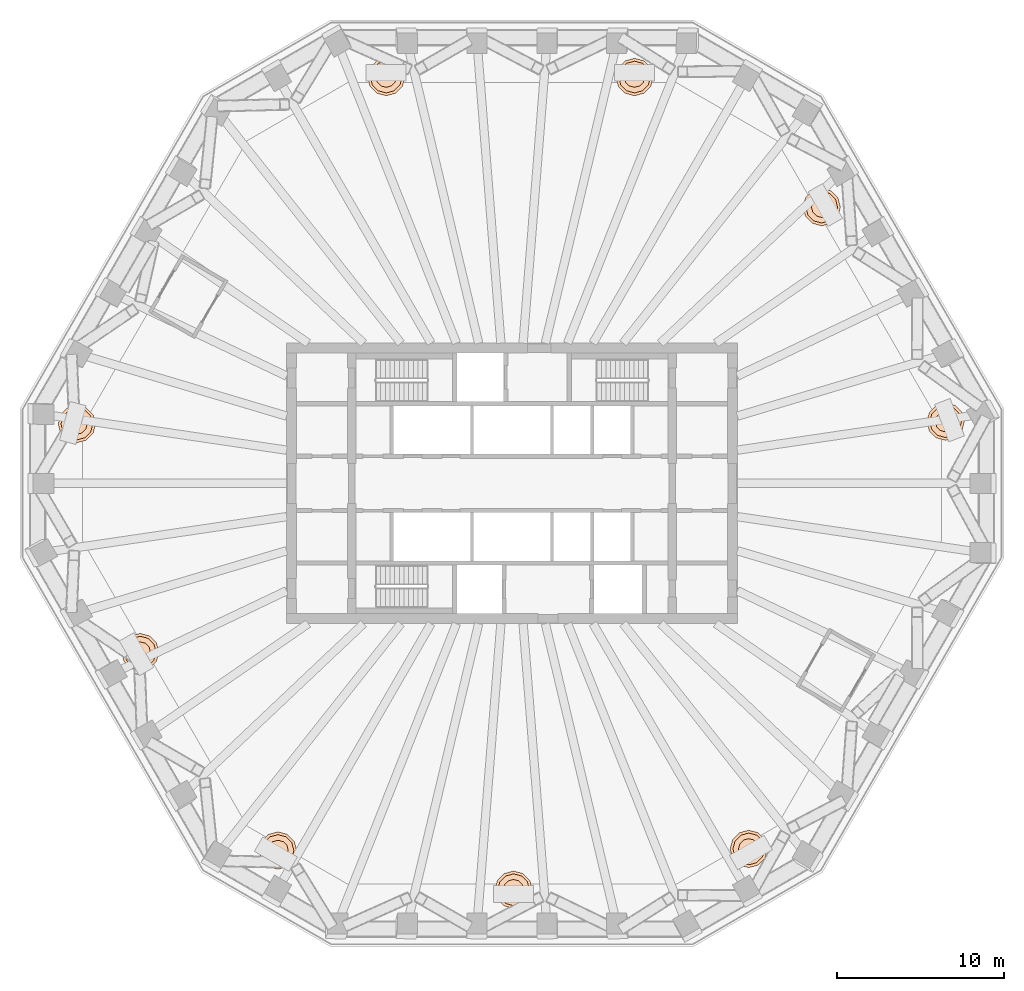
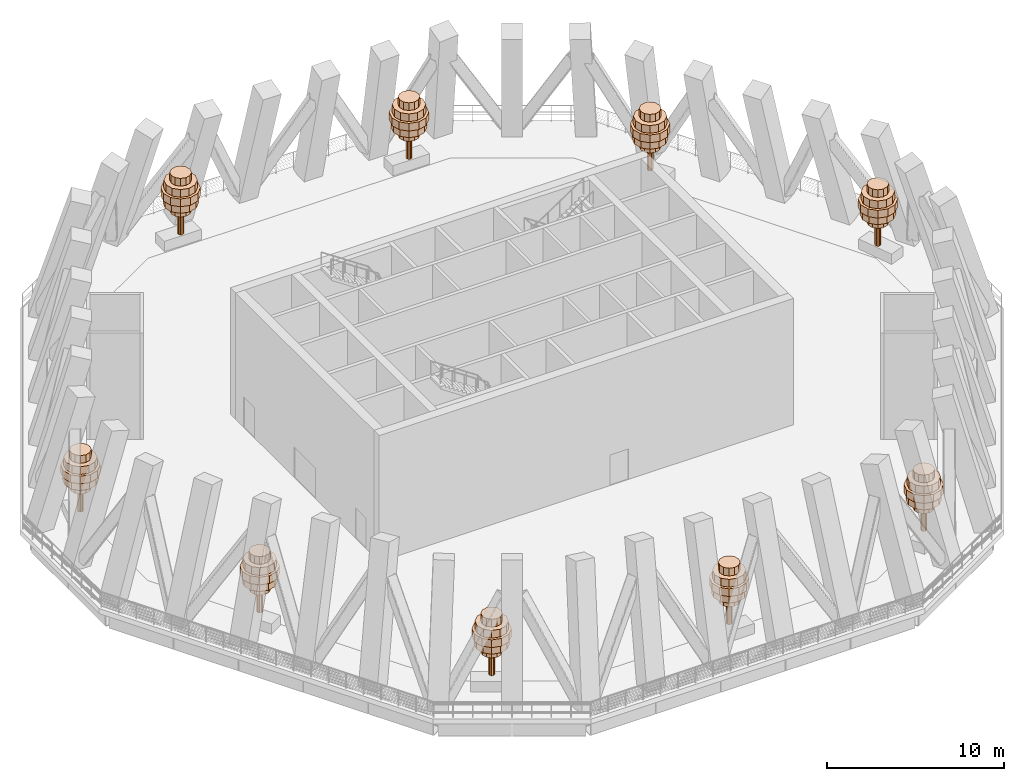
# One storey, part 11 of 11: 9 geographic elements.
"""IFC4 building model written with IfcOpenShell, lengths in metres."""

from ifc_helpers import new_model, si_unit, direction, frame, origin, place, context, subcontext, project, spatial, polyline, outline, extrude, material, type_object, element, save


model = new_model("IFC4")

# Units and contexts
model_context = context("Model", 3, precision=1e-05, world=origin(), true_north=direction((0.0, 1.0)))
body_context = subcontext(model_context, "Body", "Model", "MODEL_VIEW")
ifc_project = project(units=[si_unit("LENGTHUNIT", "METRE"), si_unit("AREAUNIT", "SQUARE_METRE"), si_unit("VOLUMEUNIT", "CUBIC_METRE"), si_unit("PLANEANGLEUNIT", "RADIAN"), si_unit("MASSUNIT", "GRAM", prefix="KILO")], contexts=[model_context])

# Site, building, storey
site_placement = place(None, origin())
site = spatial("IfcSite", under=ifc_project, at=site_placement, CompositionType="ELEMENT")
building_placement = place(site_placement, origin())
building = spatial("IfcBuilding", under=site, at=building_placement, Name="Frailejon Research Tower", CompositionType="ELEMENT")
storey_placement = place(building_placement, frame((0.0, 0.0, 202.39990234375)))
storey = spatial("IfcBuildingStorey", under=building, at=storey_placement, Name="L44", CompositionType="ELEMENT", Elevation=202.39990234375)

# Geographic elements
ifc_material = material(Name="Foliage, green")
geographic_element_type = type_object("IfcGeographicElementType", Name="Frailejon tree, terrace", PredefinedType="USERDEFINED", material=ifc_material)
geographic_element_1_placement = place(storey_placement, frame((25.973876953125, 3.70068359375, 0.7001953125)))
element("IfcGeographicElement", 1, at=geographic_element_1_placement, inside=storey, type_object=geographic_element_type, Name="Tree L44", ObjectType="TREE", PredefinedType="USERDEFINED", context=body_context, shape_type="SweptSolid", body=[
    extrude(outline(polyline([(0.177978515625, 0.0), (0.154052734375, 0.089111328125), (0.089111328125, 0.154052734375), (0.0, 0.177978515625), (-0.089111328125, 0.154052734375), (-0.154052734375, 0.089111328125), (-0.177978515625, 0.0), (-0.154052734375, -0.089111328125), (-0.089111328125, -0.154052734375), (0.0, -0.177978515625), (0.089111328125, -0.154052734375), (0.154052734375, -0.089111328125), (0.177978515625, 0.0)])), origin(), (0.0, 0.0, 1.0), 3.135986328125),
    extrude(outline(polyline([(0.615966796875, 0.0), (0.533447265625, 0.30810546875), (0.30810546875, 0.533447265625), (0.0, 0.615966796875), (-0.30810546875, 0.533447265625), (-0.533447265625, 0.30810546875), (-0.615966796875, 0.0), (-0.533447265625, -0.30810546875), (-0.30810546875, -0.533447265625), (0.0, -0.615966796875), (0.30810546875, -0.533447265625), (0.533447265625, -0.30810546875), (0.615966796875, 0.0)])), frame((0.0, 0.0, 1.5400390625)), (0.0, 0.0, 1.0), 0.531982421875),
    extrude(outline(polyline([(1.008056640625, 0.0), (0.873046875, 0.50390625), (0.50390625, 0.873046875), (0.0, 1.008056640625), (-0.50390625, 0.873046875), (-0.873046875, 0.50390625), (-1.008056640625, 0.0), (-0.873046875, -0.50390625), (-0.50390625, -0.873046875), (0.0, -1.008056640625), (0.50390625, -0.873046875), (0.873046875, -0.50390625), (1.008056640625, 0.0)])), frame((0.0, 0.0, 2.072021484375)), (0.0, 0.0, 1.0), 0.531982421875),
    extrude(outline(polyline([(1.1201171875, 0.0), (0.969970703125, 0.56005859375), (0.56005859375, 0.969970703125), (0.0, 1.1201171875), (-0.56005859375, 0.969970703125), (-0.969970703125, 0.56005859375), (-1.1201171875, 0.0), (-0.969970703125, -0.56005859375), (-0.56005859375, -0.969970703125), (0.0, -1.1201171875), (0.56005859375, -0.969970703125), (0.969970703125, -0.56005859375), (1.1201171875, 0.0)])), frame((0.0, 0.0, 2.60400390625)), (0.0, 0.0, 1.0), 0.531982421875),
    extrude(outline(polyline([(0.951904296875, 0.0), (0.824462890625, 0.47607421875), (0.47607421875, 0.824462890625), (0.0, 0.951904296875), (-0.47607421875, 0.824462890625), (-0.824462890625, 0.47607421875), (-0.951904296875, 0.0), (-0.824462890625, -0.47607421875), (-0.47607421875, -0.824462890625), (0.0, -0.951904296875), (0.47607421875, -0.824462890625), (0.824462890625, -0.47607421875), (0.951904296875, 0.0)])), frame((0.0, 0.0, 3.135986328125)), (0.0, 0.0, 1.0), 0.531982421875),
    extrude(outline(polyline([(0.615966796875, 0.0), (0.533447265625, 0.30810546875), (0.30810546875, 0.533447265625), (0.0, 0.615966796875), (-0.30810546875, 0.533447265625), (-0.533447265625, 0.30810546875), (-0.615966796875, 0.0), (-0.533447265625, -0.30810546875), (-0.30810546875, -0.533447265625), (0.0, -0.615966796875), (0.30810546875, -0.533447265625), (0.533447265625, -0.30810546875), (0.615966796875, 0.0)])), frame((0.0, 0.0, 3.66796875)), (0.0, 0.0, 1.0), 0.531982421875),
])
geographic_element_2_placement = place(storey_placement, frame((18.55224609375, 16.549072265625, 0.7001953125)))
element("IfcGeographicElement", 2, at=geographic_element_2_placement, inside=storey, type_object=geographic_element_type, Name="Tree L44", ObjectType="TREE", PredefinedType="USERDEFINED", context=body_context, shape_type="SweptSolid", body=[
    extrude(outline(polyline([(0.177978515625, 0.0), (0.154052734375, 0.089111328125), (0.089111328125, 0.154052734375), (0.0, 0.177978515625), (-0.089111328125, 0.154052734375), (-0.154052734375, 0.089111328125), (-0.177978515625, 0.0), (-0.154052734375, -0.089111328125), (-0.089111328125, -0.154052734375), (0.0, -0.177978515625), (0.089111328125, -0.154052734375), (0.154052734375, -0.089111328125), (0.177978515625, 0.0)])), origin(), (0.0, 0.0, 1.0), 3.135986328125),
    extrude(outline(polyline([(0.615966796875, 0.0), (0.533447265625, 0.30810546875), (0.30810546875, 0.533447265625), (0.0, 0.615966796875), (-0.30810546875, 0.533447265625), (-0.533447265625, 0.30810546875), (-0.615966796875, 0.0), (-0.533447265625, -0.30810546875), (-0.30810546875, -0.533447265625), (0.0, -0.615966796875), (0.30810546875, -0.533447265625), (0.533447265625, -0.30810546875), (0.615966796875, 0.0)])), frame((0.0, 0.0, 1.5400390625)), (0.0, 0.0, 1.0), 0.531982421875),
    extrude(outline(polyline([(1.008056640625, 0.0), (0.873046875, 0.50390625), (0.50390625, 0.873046875), (0.0, 1.008056640625), (-0.50390625, 0.873046875), (-0.873046875, 0.50390625), (-1.008056640625, 0.0), (-0.873046875, -0.50390625), (-0.50390625, -0.873046875), (0.0, -1.008056640625), (0.50390625, -0.873046875), (0.873046875, -0.50390625), (1.008056640625, 0.0)])), frame((0.0, 0.0, 2.072021484375)), (0.0, 0.0, 1.0), 0.531982421875),
    extrude(outline(polyline([(1.1201171875, 0.0), (0.969970703125, 0.56005859375), (0.56005859375, 0.969970703125), (0.0, 1.1201171875), (-0.56005859375, 0.969970703125), (-0.969970703125, 0.56005859375), (-1.1201171875, 0.0), (-0.969970703125, -0.56005859375), (-0.56005859375, -0.969970703125), (0.0, -1.1201171875), (0.56005859375, -0.969970703125), (0.969970703125, -0.56005859375), (1.1201171875, 0.0)])), frame((0.0, 0.0, 2.60400390625)), (0.0, 0.0, 1.0), 0.531982421875),
    extrude(outline(polyline([(0.951904296875, 0.0), (0.824462890625, 0.47607421875), (0.47607421875, 0.824462890625), (0.0, 0.951904296875), (-0.47607421875, 0.824462890625), (-0.824462890625, 0.47607421875), (-0.951904296875, 0.0), (-0.824462890625, -0.47607421875), (-0.47607421875, -0.824462890625), (0.0, -0.951904296875), (0.47607421875, -0.824462890625), (0.824462890625, -0.47607421875), (0.951904296875, 0.0)])), frame((0.0, 0.0, 3.135986328125)), (0.0, 0.0, 1.0), 0.531982421875),
    extrude(outline(polyline([(0.615966796875, 0.0), (0.533447265625, 0.30810546875), (0.30810546875, 0.533447265625), (0.0, 0.615966796875), (-0.30810546875, 0.533447265625), (-0.533447265625, 0.30810546875), (-0.615966796875, 0.0), (-0.533447265625, -0.30810546875), (-0.30810546875, -0.533447265625), (0.0, -0.615966796875), (0.30810546875, -0.533447265625), (0.533447265625, -0.30810546875), (0.615966796875, 0.0)])), frame((0.0, 0.0, 3.66796875)), (0.0, 0.0, 1.0), 0.531982421875),
])
geographic_element_3_placement = place(storey_placement, frame((7.341796875, 24.34130859375, 0.7001953125)))
element("IfcGeographicElement", 3, at=geographic_element_3_placement, inside=storey, type_object=geographic_element_type, Name="Tree L44", ObjectType="TREE", PredefinedType="USERDEFINED", context=body_context, shape_type="SweptSolid", body=[
    extrude(outline(polyline([(0.177978515625, 0.0), (0.154052734375, 0.089111328125), (0.089111328125, 0.154052734375), (0.0, 0.177978515625), (-0.089111328125, 0.154052734375), (-0.154052734375, 0.089111328125), (-0.177978515625, 0.0), (-0.154052734375, -0.089111328125), (-0.089111328125, -0.154052734375), (0.0, -0.177978515625), (0.089111328125, -0.154052734375), (0.154052734375, -0.089111328125), (0.177978515625, 0.0)])), origin(), (0.0, 0.0, 1.0), 3.135986328125),
    extrude(outline(polyline([(0.615966796875, 0.0), (0.533447265625, 0.30810546875), (0.30810546875, 0.533447265625), (0.0, 0.615966796875), (-0.30810546875, 0.533447265625), (-0.533447265625, 0.30810546875), (-0.615966796875, 0.0), (-0.533447265625, -0.30810546875), (-0.30810546875, -0.533447265625), (0.0, -0.615966796875), (0.30810546875, -0.533447265625), (0.533447265625, -0.30810546875), (0.615966796875, 0.0)])), frame((0.0, 0.0, 1.5400390625)), (0.0, 0.0, 1.0), 0.531982421875),
    extrude(outline(polyline([(1.008056640625, 0.0), (0.873046875, 0.50390625), (0.50390625, 0.873046875), (0.0, 1.008056640625), (-0.50390625, 0.873046875), (-0.873046875, 0.50390625), (-1.008056640625, 0.0), (-0.873046875, -0.50390625), (-0.50390625, -0.873046875), (0.0, -1.008056640625), (0.50390625, -0.873046875), (0.873046875, -0.50390625), (1.008056640625, 0.0)])), frame((0.0, 0.0, 2.072021484375)), (0.0, 0.0, 1.0), 0.531982421875),
    extrude(outline(polyline([(1.1201171875, 0.0), (0.969970703125, 0.56005859375), (0.56005859375, 0.969970703125), (0.0, 1.1201171875), (-0.56005859375, 0.969970703125), (-0.969970703125, 0.56005859375), (-1.1201171875, 0.0), (-0.969970703125, -0.56005859375), (-0.56005859375, -0.969970703125), (0.0, -1.1201171875), (0.56005859375, -0.969970703125), (0.969970703125, -0.56005859375), (1.1201171875, 0.0)])), frame((0.0, 0.0, 2.60400390625)), (0.0, 0.0, 1.0), 0.531982421875),
    extrude(outline(polyline([(0.951904296875, 0.0), (0.824462890625, 0.47607421875), (0.47607421875, 0.824462890625), (0.0, 0.951904296875), (-0.47607421875, 0.824462890625), (-0.824462890625, 0.47607421875), (-0.951904296875, 0.0), (-0.824462890625, -0.47607421875), (-0.47607421875, -0.824462890625), (0.0, -0.951904296875), (0.47607421875, -0.824462890625), (0.824462890625, -0.47607421875), (0.951904296875, 0.0)])), frame((0.0, 0.0, 3.135986328125)), (0.0, 0.0, 1.0), 0.531982421875),
    extrude(outline(polyline([(0.615966796875, 0.0), (0.533447265625, 0.30810546875), (0.30810546875, 0.533447265625), (0.0, 0.615966796875), (-0.30810546875, 0.533447265625), (-0.533447265625, 0.30810546875), (-0.615966796875, 0.0), (-0.533447265625, -0.30810546875), (-0.30810546875, -0.533447265625), (0.0, -0.615966796875), (0.30810546875, -0.533447265625), (0.533447265625, -0.30810546875), (0.615966796875, 0.0)])), frame((0.0, 0.0, 3.66796875)), (0.0, 0.0, 1.0), 0.531982421875),
])
geographic_element_4_placement = place(storey_placement, frame((-7.535400390625, 24.34130859375, 0.7001953125)))
element("IfcGeographicElement", 4, at=geographic_element_4_placement, inside=storey, type_object=geographic_element_type, Name="Tree L44", ObjectType="TREE", PredefinedType="USERDEFINED", context=body_context, shape_type="SweptSolid", body=[
    extrude(outline(polyline([(0.177978515625, 0.0), (0.154052734375, 0.089111328125), (0.089111328125, 0.154052734375), (0.0, 0.177978515625), (-0.089111328125, 0.154052734375), (-0.154052734375, 0.089111328125), (-0.177978515625, 0.0), (-0.154052734375, -0.089111328125), (-0.089111328125, -0.154052734375), (0.0, -0.177978515625), (0.089111328125, -0.154052734375), (0.154052734375, -0.089111328125), (0.177978515625, 0.0)])), origin(), (0.0, 0.0, 1.0), 3.135986328125),
    extrude(outline(polyline([(0.615966796875, 0.0), (0.533447265625, 0.30810546875), (0.30810546875, 0.533447265625), (0.0, 0.615966796875), (-0.30810546875, 0.533447265625), (-0.533447265625, 0.30810546875), (-0.615966796875, 0.0), (-0.533447265625, -0.30810546875), (-0.30810546875, -0.533447265625), (0.0, -0.615966796875), (0.30810546875, -0.533447265625), (0.533447265625, -0.30810546875), (0.615966796875, 0.0)])), frame((0.0, 0.0, 1.5400390625)), (0.0, 0.0, 1.0), 0.531982421875),
    extrude(outline(polyline([(1.008056640625, 0.0), (0.873046875, 0.50390625), (0.50390625, 0.873046875), (0.0, 1.008056640625), (-0.50390625, 0.873046875), (-0.873046875, 0.50390625), (-1.008056640625, 0.0), (-0.873046875, -0.50390625), (-0.50390625, -0.873046875), (0.0, -1.008056640625), (0.50390625, -0.873046875), (0.873046875, -0.50390625), (1.008056640625, 0.0)])), frame((0.0, 0.0, 2.072021484375)), (0.0, 0.0, 1.0), 0.531982421875),
    extrude(outline(polyline([(1.1201171875, 0.0), (0.969970703125, 0.56005859375), (0.56005859375, 0.969970703125), (0.0, 1.1201171875), (-0.56005859375, 0.969970703125), (-0.969970703125, 0.56005859375), (-1.1201171875, 0.0), (-0.969970703125, -0.56005859375), (-0.56005859375, -0.969970703125), (0.0, -1.1201171875), (0.56005859375, -0.969970703125), (0.969970703125, -0.56005859375), (1.1201171875, 0.0)])), frame((0.0, 0.0, 2.60400390625)), (0.0, 0.0, 1.0), 0.531982421875),
    extrude(outline(polyline([(0.951904296875, 0.0), (0.824462890625, 0.47607421875), (0.47607421875, 0.824462890625), (0.0, 0.951904296875), (-0.47607421875, 0.824462890625), (-0.824462890625, 0.47607421875), (-0.951904296875, 0.0), (-0.824462890625, -0.47607421875), (-0.47607421875, -0.824462890625), (0.0, -0.951904296875), (0.47607421875, -0.824462890625), (0.824462890625, -0.47607421875), (0.951904296875, 0.0)])), frame((0.0, 0.0, 3.135986328125)), (0.0, 0.0, 1.0), 0.531982421875),
    extrude(outline(polyline([(0.615966796875, 0.0), (0.533447265625, 0.30810546875), (0.30810546875, 0.533447265625), (0.0, 0.615966796875), (-0.30810546875, 0.533447265625), (-0.533447265625, 0.30810546875), (-0.615966796875, 0.0), (-0.533447265625, -0.30810546875), (-0.30810546875, -0.533447265625), (0.0, -0.615966796875), (0.30810546875, -0.533447265625), (0.533447265625, -0.30810546875), (0.615966796875, 0.0)])), frame((0.0, 0.0, 3.66796875)), (0.0, 0.0, 1.0), 0.531982421875),
])
geographic_element_5_placement = place(storey_placement, frame((-26.062744140625, 3.557861328125, 0.7001953125)))
element("IfcGeographicElement", 5, at=geographic_element_5_placement, inside=storey, type_object=geographic_element_type, Name="Tree L44", ObjectType="TREE", PredefinedType="USERDEFINED", context=body_context, shape_type="SweptSolid", body=[
    extrude(outline(polyline([(0.177978515625, 0.0), (0.154052734375, 0.089111328125), (0.089111328125, 0.154052734375), (0.0, 0.177978515625), (-0.089111328125, 0.154052734375), (-0.154052734375, 0.089111328125), (-0.177978515625, 0.0), (-0.154052734375, -0.089111328125), (-0.089111328125, -0.154052734375), (0.0, -0.177978515625), (0.089111328125, -0.154052734375), (0.154052734375, -0.089111328125), (0.177978515625, 0.0)])), origin(), (0.0, 0.0, 1.0), 3.135986328125),
    extrude(outline(polyline([(0.615966796875, 0.0), (0.533447265625, 0.30810546875), (0.30810546875, 0.533447265625), (0.0, 0.615966796875), (-0.30810546875, 0.533447265625), (-0.533447265625, 0.30810546875), (-0.615966796875, 0.0), (-0.533447265625, -0.30810546875), (-0.30810546875, -0.533447265625), (0.0, -0.615966796875), (0.30810546875, -0.533447265625), (0.533447265625, -0.30810546875), (0.615966796875, 0.0)])), frame((0.0, 0.0, 1.5400390625)), (0.0, 0.0, 1.0), 0.531982421875),
    extrude(outline(polyline([(1.008056640625, 0.0), (0.873046875, 0.50390625), (0.50390625, 0.873046875), (0.0, 1.008056640625), (-0.50390625, 0.873046875), (-0.873046875, 0.50390625), (-1.008056640625, 0.0), (-0.873046875, -0.50390625), (-0.50390625, -0.873046875), (0.0, -1.008056640625), (0.50390625, -0.873046875), (0.873046875, -0.50390625), (1.008056640625, 0.0)])), frame((0.0, 0.0, 2.072021484375)), (0.0, 0.0, 1.0), 0.531982421875),
    extrude(outline(polyline([(1.1201171875, 0.0), (0.969970703125, 0.56005859375), (0.56005859375, 0.969970703125), (0.0, 1.1201171875), (-0.56005859375, 0.969970703125), (-0.969970703125, 0.56005859375), (-1.1201171875, 0.0), (-0.969970703125, -0.56005859375), (-0.56005859375, -0.969970703125), (0.0, -1.1201171875), (0.56005859375, -0.969970703125), (0.969970703125, -0.56005859375), (1.1201171875, 0.0)])), frame((0.0, 0.0, 2.60400390625)), (0.0, 0.0, 1.0), 0.531982421875),
    extrude(outline(polyline([(0.951904296875, 0.0), (0.824462890625, 0.47607421875), (0.47607421875, 0.824462890625), (0.0, 0.951904296875), (-0.47607421875, 0.824462890625), (-0.824462890625, 0.47607421875), (-0.951904296875, 0.0), (-0.824462890625, -0.47607421875), (-0.47607421875, -0.824462890625), (0.0, -0.951904296875), (0.47607421875, -0.824462890625), (0.824462890625, -0.47607421875), (0.951904296875, 0.0)])), frame((0.0, 0.0, 3.135986328125)), (0.0, 0.0, 1.0), 0.531982421875),
    extrude(outline(polyline([(0.615966796875, 0.0), (0.533447265625, 0.30810546875), (0.30810546875, 0.533447265625), (0.0, 0.615966796875), (-0.30810546875, 0.533447265625), (-0.533447265625, 0.30810546875), (-0.615966796875, 0.0), (-0.533447265625, -0.30810546875), (-0.30810546875, -0.533447265625), (0.0, -0.615966796875), (0.30810546875, -0.533447265625), (0.533447265625, -0.30810546875), (0.615966796875, 0.0)])), frame((0.0, 0.0, 3.66796875)), (0.0, 0.0, 1.0), 0.531982421875),
])
geographic_element_6_placement = place(storey_placement, frame((-22.271484375, -10.107177734375, 0.7001953125)))
element("IfcGeographicElement", 6, at=geographic_element_6_placement, inside=storey, type_object=geographic_element_type, Name="Tree L44", ObjectType="TREE", PredefinedType="USERDEFINED", context=body_context, shape_type="SweptSolid", body=[
    extrude(outline(polyline([(0.177978515625, 0.0), (0.154052734375, 0.089111328125), (0.089111328125, 0.154052734375), (0.0, 0.177978515625), (-0.089111328125, 0.154052734375), (-0.154052734375, 0.089111328125), (-0.177978515625, 0.0), (-0.154052734375, -0.089111328125), (-0.089111328125, -0.154052734375), (0.0, -0.177978515625), (0.089111328125, -0.154052734375), (0.154052734375, -0.089111328125), (0.177978515625, 0.0)])), origin(), (0.0, 0.0, 1.0), 3.135986328125),
    extrude(outline(polyline([(0.615966796875, 0.0), (0.533447265625, 0.30810546875), (0.30810546875, 0.533447265625), (0.0, 0.615966796875), (-0.30810546875, 0.533447265625), (-0.533447265625, 0.30810546875), (-0.615966796875, 0.0), (-0.533447265625, -0.30810546875), (-0.30810546875, -0.533447265625), (0.0, -0.615966796875), (0.30810546875, -0.533447265625), (0.533447265625, -0.30810546875), (0.615966796875, 0.0)])), frame((0.0, 0.0, 1.5400390625)), (0.0, 0.0, 1.0), 0.531982421875),
    extrude(outline(polyline([(1.008056640625, 0.0), (0.873046875, 0.50390625), (0.50390625, 0.873046875), (0.0, 1.008056640625), (-0.50390625, 0.873046875), (-0.873046875, 0.50390625), (-1.008056640625, 0.0), (-0.873046875, -0.50390625), (-0.50390625, -0.873046875), (0.0, -1.008056640625), (0.50390625, -0.873046875), (0.873046875, -0.50390625), (1.008056640625, 0.0)])), frame((0.0, 0.0, 2.072021484375)), (0.0, 0.0, 1.0), 0.531982421875),
    extrude(outline(polyline([(1.1201171875, 0.0), (0.969970703125, 0.56005859375), (0.56005859375, 0.969970703125), (0.0, 1.1201171875), (-0.56005859375, 0.969970703125), (-0.969970703125, 0.56005859375), (-1.1201171875, 0.0), (-0.969970703125, -0.56005859375), (-0.56005859375, -0.969970703125), (0.0, -1.1201171875), (0.56005859375, -0.969970703125), (0.969970703125, -0.56005859375), (1.1201171875, 0.0)])), frame((0.0, 0.0, 2.60400390625)), (0.0, 0.0, 1.0), 0.531982421875),
    extrude(outline(polyline([(0.951904296875, 0.0), (0.824462890625, 0.47607421875), (0.47607421875, 0.824462890625), (0.0, 0.951904296875), (-0.47607421875, 0.824462890625), (-0.824462890625, 0.47607421875), (-0.951904296875, 0.0), (-0.824462890625, -0.47607421875), (-0.47607421875, -0.824462890625), (0.0, -0.951904296875), (0.47607421875, -0.824462890625), (0.824462890625, -0.47607421875), (0.951904296875, 0.0)])), frame((0.0, 0.0, 3.135986328125)), (0.0, 0.0, 1.0), 0.531982421875),
    extrude(outline(polyline([(0.615966796875, 0.0), (0.533447265625, 0.30810546875), (0.30810546875, 0.533447265625), (0.0, 0.615966796875), (-0.30810546875, 0.533447265625), (-0.533447265625, 0.30810546875), (-0.615966796875, 0.0), (-0.533447265625, -0.30810546875), (-0.30810546875, -0.533447265625), (0.0, -0.615966796875), (0.30810546875, -0.533447265625), (0.533447265625, -0.30810546875), (0.615966796875, 0.0)])), frame((0.0, 0.0, 3.66796875)), (0.0, 0.0, 1.0), 0.531982421875),
])
geographic_element_7_placement = place(storey_placement, frame((-14.01708984375, -21.9921875, 0.7001953125)))
element("IfcGeographicElement", 7, at=geographic_element_7_placement, inside=storey, type_object=geographic_element_type, Name="Tree L44", ObjectType="TREE", PredefinedType="USERDEFINED", context=body_context, shape_type="SweptSolid", body=[
    extrude(outline(polyline([(0.177978515625, 0.0), (0.154052734375, 0.089111328125), (0.089111328125, 0.154052734375), (0.0, 0.177978515625), (-0.089111328125, 0.154052734375), (-0.154052734375, 0.089111328125), (-0.177978515625, 0.0), (-0.154052734375, -0.089111328125), (-0.089111328125, -0.154052734375), (0.0, -0.177978515625), (0.089111328125, -0.154052734375), (0.154052734375, -0.089111328125), (0.177978515625, 0.0)])), origin(), (0.0, 0.0, 1.0), 3.135986328125),
    extrude(outline(polyline([(0.615966796875, 0.0), (0.533447265625, 0.30810546875), (0.30810546875, 0.533447265625), (0.0, 0.615966796875), (-0.30810546875, 0.533447265625), (-0.533447265625, 0.30810546875), (-0.615966796875, 0.0), (-0.533447265625, -0.30810546875), (-0.30810546875, -0.533447265625), (0.0, -0.615966796875), (0.30810546875, -0.533447265625), (0.533447265625, -0.30810546875), (0.615966796875, 0.0)])), frame((0.0, 0.0, 1.5400390625)), (0.0, 0.0, 1.0), 0.531982421875),
    extrude(outline(polyline([(1.008056640625, 0.0), (0.873046875, 0.50390625), (0.50390625, 0.873046875), (0.0, 1.008056640625), (-0.50390625, 0.873046875), (-0.873046875, 0.50390625), (-1.008056640625, 0.0), (-0.873046875, -0.50390625), (-0.50390625, -0.873046875), (0.0, -1.008056640625), (0.50390625, -0.873046875), (0.873046875, -0.50390625), (1.008056640625, 0.0)])), frame((0.0, 0.0, 2.072021484375)), (0.0, 0.0, 1.0), 0.531982421875),
    extrude(outline(polyline([(1.1201171875, 0.0), (0.969970703125, 0.56005859375), (0.56005859375, 0.969970703125), (0.0, 1.1201171875), (-0.56005859375, 0.969970703125), (-0.969970703125, 0.56005859375), (-1.1201171875, 0.0), (-0.969970703125, -0.56005859375), (-0.56005859375, -0.969970703125), (0.0, -1.1201171875), (0.56005859375, -0.969970703125), (0.969970703125, -0.56005859375), (1.1201171875, 0.0)])), frame((0.0, 0.0, 2.60400390625)), (0.0, 0.0, 1.0), 0.531982421875),
    extrude(outline(polyline([(0.951904296875, 0.0), (0.824462890625, 0.47607421875), (0.47607421875, 0.824462890625), (0.0, 0.951904296875), (-0.47607421875, 0.824462890625), (-0.824462890625, 0.47607421875), (-0.951904296875, 0.0), (-0.824462890625, -0.47607421875), (-0.47607421875, -0.824462890625), (0.0, -0.951904296875), (0.47607421875, -0.824462890625), (0.824462890625, -0.47607421875), (0.951904296875, 0.0)])), frame((0.0, 0.0, 3.135986328125)), (0.0, 0.0, 1.0), 0.531982421875),
    extrude(outline(polyline([(0.615966796875, 0.0), (0.533447265625, 0.30810546875), (0.30810546875, 0.533447265625), (0.0, 0.615966796875), (-0.30810546875, 0.533447265625), (-0.533447265625, 0.30810546875), (-0.615966796875, 0.0), (-0.533447265625, -0.30810546875), (-0.30810546875, -0.533447265625), (0.0, -0.615966796875), (0.30810546875, -0.533447265625), (0.533447265625, -0.30810546875), (0.615966796875, 0.0)])), frame((0.0, 0.0, 3.66796875)), (0.0, 0.0, 1.0), 0.531982421875),
])
geographic_element_8_placement = place(storey_placement, frame((0.0966796875, -24.34130859375, 0.7001953125)))
element("IfcGeographicElement", 8, at=geographic_element_8_placement, inside=storey, type_object=geographic_element_type, Name="Tree L44", ObjectType="TREE", PredefinedType="USERDEFINED", context=body_context, shape_type="SweptSolid", body=[
    extrude(outline(polyline([(0.177978515625, 0.0), (0.154052734375, 0.089111328125), (0.089111328125, 0.154052734375), (0.0, 0.177978515625), (-0.089111328125, 0.154052734375), (-0.154052734375, 0.089111328125), (-0.177978515625, 0.0), (-0.154052734375, -0.089111328125), (-0.089111328125, -0.154052734375), (0.0, -0.177978515625), (0.089111328125, -0.154052734375), (0.154052734375, -0.089111328125), (0.177978515625, 0.0)])), origin(), (0.0, 0.0, 1.0), 3.135986328125),
    extrude(outline(polyline([(0.615966796875, 0.0), (0.533447265625, 0.30810546875), (0.30810546875, 0.533447265625), (0.0, 0.615966796875), (-0.30810546875, 0.533447265625), (-0.533447265625, 0.30810546875), (-0.615966796875, 0.0), (-0.533447265625, -0.30810546875), (-0.30810546875, -0.533447265625), (0.0, -0.615966796875), (0.30810546875, -0.533447265625), (0.533447265625, -0.30810546875), (0.615966796875, 0.0)])), frame((0.0, 0.0, 1.5400390625)), (0.0, 0.0, 1.0), 0.531982421875),
    extrude(outline(polyline([(1.008056640625, 0.0), (0.873046875, 0.50390625), (0.50390625, 0.873046875), (0.0, 1.008056640625), (-0.50390625, 0.873046875), (-0.873046875, 0.50390625), (-1.008056640625, 0.0), (-0.873046875, -0.50390625), (-0.50390625, -0.873046875), (0.0, -1.008056640625), (0.50390625, -0.873046875), (0.873046875, -0.50390625), (1.008056640625, 0.0)])), frame((0.0, 0.0, 2.072021484375)), (0.0, 0.0, 1.0), 0.531982421875),
    extrude(outline(polyline([(1.1201171875, 0.0), (0.969970703125, 0.56005859375), (0.56005859375, 0.969970703125), (0.0, 1.1201171875), (-0.56005859375, 0.969970703125), (-0.969970703125, 0.56005859375), (-1.1201171875, 0.0), (-0.969970703125, -0.56005859375), (-0.56005859375, -0.969970703125), (0.0, -1.1201171875), (0.56005859375, -0.969970703125), (0.969970703125, -0.56005859375), (1.1201171875, 0.0)])), frame((0.0, 0.0, 2.60400390625)), (0.0, 0.0, 1.0), 0.531982421875),
    extrude(outline(polyline([(0.951904296875, 0.0), (0.824462890625, 0.47607421875), (0.47607421875, 0.824462890625), (0.0, 0.951904296875), (-0.47607421875, 0.824462890625), (-0.824462890625, 0.47607421875), (-0.951904296875, 0.0), (-0.824462890625, -0.47607421875), (-0.47607421875, -0.824462890625), (0.0, -0.951904296875), (0.47607421875, -0.824462890625), (0.824462890625, -0.47607421875), (0.951904296875, 0.0)])), frame((0.0, 0.0, 3.135986328125)), (0.0, 0.0, 1.0), 0.531982421875),
    extrude(outline(polyline([(0.615966796875, 0.0), (0.533447265625, 0.30810546875), (0.30810546875, 0.533447265625), (0.0, 0.615966796875), (-0.30810546875, 0.533447265625), (-0.533447265625, 0.30810546875), (-0.615966796875, 0.0), (-0.533447265625, -0.30810546875), (-0.30810546875, -0.533447265625), (0.0, -0.615966796875), (0.30810546875, -0.533447265625), (0.533447265625, -0.30810546875), (0.615966796875, 0.0)])), frame((0.0, 0.0, 3.66796875)), (0.0, 0.0, 1.0), 0.531982421875),
])
geographic_element_9_placement = place(storey_placement, frame((14.1845703125, -21.895263671875, 0.7001953125)))
element("IfcGeographicElement", 9, at=geographic_element_9_placement, inside=storey, type_object=geographic_element_type, Name="Tree L44", ObjectType="TREE", PredefinedType="USERDEFINED", context=body_context, shape_type="SweptSolid", body=[
    extrude(outline(polyline([(0.177978515625, 0.0), (0.154052734375, 0.089111328125), (0.089111328125, 0.154052734375), (0.0, 0.177978515625), (-0.089111328125, 0.154052734375), (-0.154052734375, 0.089111328125), (-0.177978515625, 0.0), (-0.154052734375, -0.089111328125), (-0.089111328125, -0.154052734375), (0.0, -0.177978515625), (0.089111328125, -0.154052734375), (0.154052734375, -0.089111328125), (0.177978515625, 0.0)])), origin(), (0.0, 0.0, 1.0), 3.135986328125),
    extrude(outline(polyline([(0.615966796875, 0.0), (0.533447265625, 0.30810546875), (0.30810546875, 0.533447265625), (0.0, 0.615966796875), (-0.30810546875, 0.533447265625), (-0.533447265625, 0.30810546875), (-0.615966796875, 0.0), (-0.533447265625, -0.30810546875), (-0.30810546875, -0.533447265625), (0.0, -0.615966796875), (0.30810546875, -0.533447265625), (0.533447265625, -0.30810546875), (0.615966796875, 0.0)])), frame((0.0, 0.0, 1.5400390625)), (0.0, 0.0, 1.0), 0.531982421875),
    extrude(outline(polyline([(1.008056640625, 0.0), (0.873046875, 0.50390625), (0.50390625, 0.873046875), (0.0, 1.008056640625), (-0.50390625, 0.873046875), (-0.873046875, 0.50390625), (-1.008056640625, 0.0), (-0.873046875, -0.50390625), (-0.50390625, -0.873046875), (0.0, -1.008056640625), (0.50390625, -0.873046875), (0.873046875, -0.50390625), (1.008056640625, 0.0)])), frame((0.0, 0.0, 2.072021484375)), (0.0, 0.0, 1.0), 0.531982421875),
    extrude(outline(polyline([(1.1201171875, 0.0), (0.969970703125, 0.56005859375), (0.56005859375, 0.969970703125), (0.0, 1.1201171875), (-0.56005859375, 0.969970703125), (-0.969970703125, 0.56005859375), (-1.1201171875, 0.0), (-0.969970703125, -0.56005859375), (-0.56005859375, -0.969970703125), (0.0, -1.1201171875), (0.56005859375, -0.969970703125), (0.969970703125, -0.56005859375), (1.1201171875, 0.0)])), frame((0.0, 0.0, 2.60400390625)), (0.0, 0.0, 1.0), 0.531982421875),
    extrude(outline(polyline([(0.951904296875, 0.0), (0.824462890625, 0.47607421875), (0.47607421875, 0.824462890625), (0.0, 0.951904296875), (-0.47607421875, 0.824462890625), (-0.824462890625, 0.47607421875), (-0.951904296875, 0.0), (-0.824462890625, -0.47607421875), (-0.47607421875, -0.824462890625), (0.0, -0.951904296875), (0.47607421875, -0.824462890625), (0.824462890625, -0.47607421875), (0.951904296875, 0.0)])), frame((0.0, 0.0, 3.135986328125)), (0.0, 0.0, 1.0), 0.531982421875),
    extrude(outline(polyline([(0.615966796875, 0.0), (0.533447265625, 0.30810546875), (0.30810546875, 0.533447265625), (0.0, 0.615966796875), (-0.30810546875, 0.533447265625), (-0.533447265625, 0.30810546875), (-0.615966796875, 0.0), (-0.533447265625, -0.30810546875), (-0.30810546875, -0.533447265625), (0.0, -0.615966796875), (0.30810546875, -0.533447265625), (0.533447265625, -0.30810546875), (0.615966796875, 0.0)])), frame((0.0, 0.0, 3.66796875)), (0.0, 0.0, 1.0), 0.531982421875),
])

save(model, "model.ifc")
